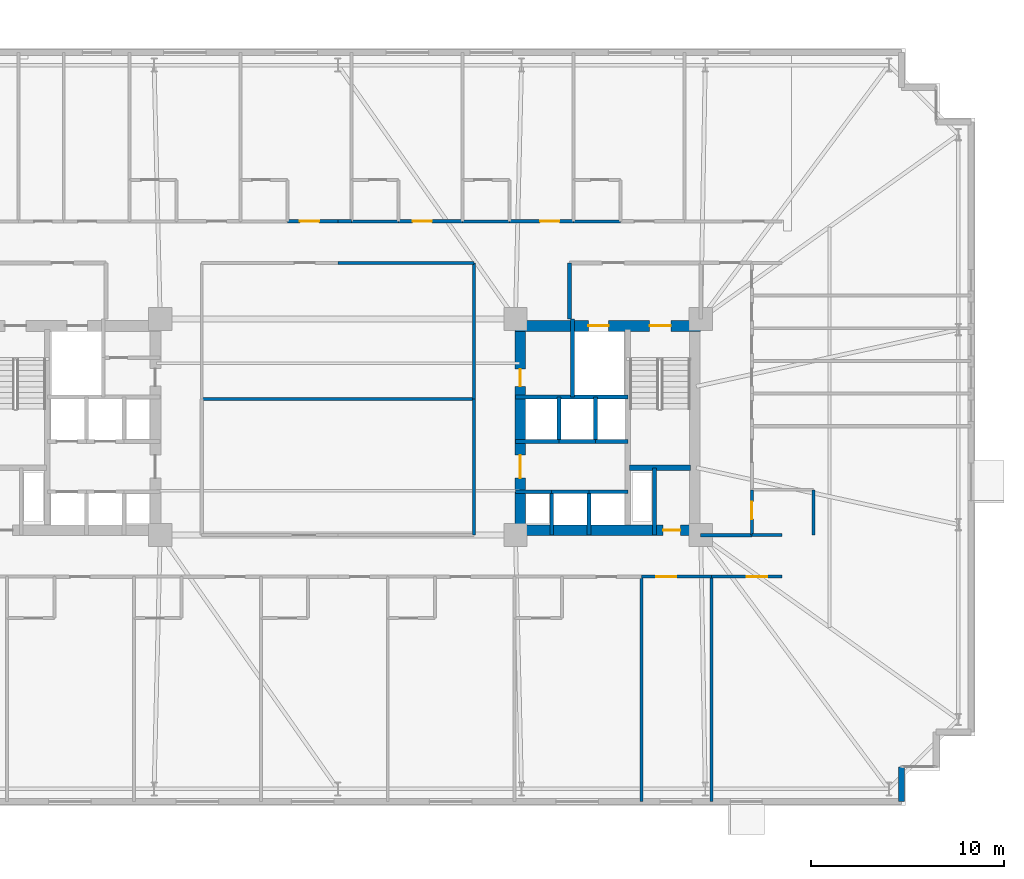
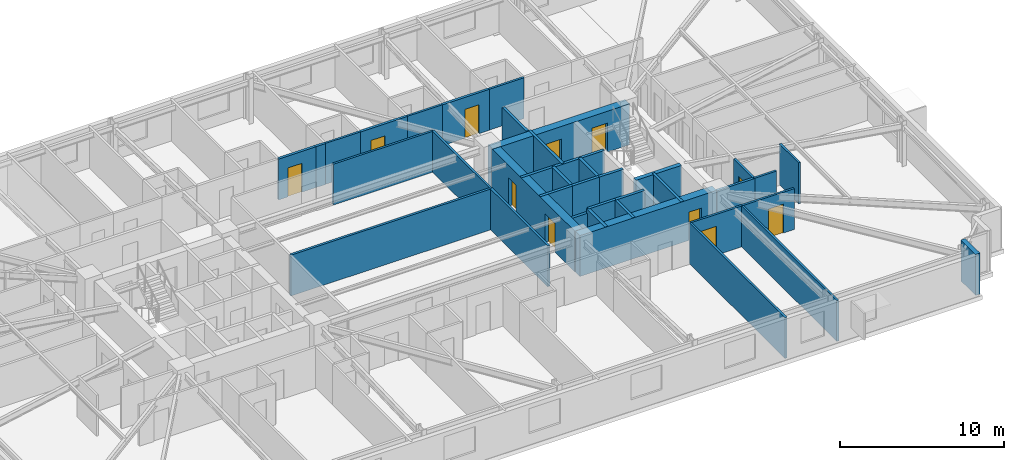
# One storey, part 17 of 22: 38 walls, 11 doors, 11 openings.
"""IFC4 building model written with IfcOpenShell, lengths in metres."""

from ifc_helpers import new_model, si_unit, direction, frame, frame_2d, origin, place, context, subcontext, project, spatial, rectangle, extrude, material, layer, layer_set, type_object, element, fill, save


model = new_model("IFC4")

# Units and contexts
model_context = context("Model", 3, precision=1e-05, world=origin(), true_north=direction((0.0, 1.0)))
body_context = subcontext(model_context, "Body", "Model", "MODEL_VIEW")
ifc_project = project(units=[si_unit("LENGTHUNIT", "METRE"), si_unit("AREAUNIT", "SQUARE_METRE"), si_unit("VOLUMEUNIT", "CUBIC_METRE"), si_unit("PLANEANGLEUNIT", "RADIAN"), si_unit("MASSUNIT", "GRAM", prefix="KILO")], contexts=[model_context])

# Site, building, storey
site_placement = place(None, origin())
site = spatial("IfcSite", under=ifc_project, at=site_placement, CompositionType="ELEMENT")
building_placement = place(site_placement, origin())
building = spatial("IfcBuilding", under=site, at=building_placement, Name="Qobustan Lattice House", CompositionType="ELEMENT")
storey_placement = place(building_placement, frame((0.0, 0.0, 60.5)))
storey = spatial("IfcBuildingStorey", under=building, at=storey_placement, Name="L16", CompositionType="ELEMENT", Elevation=60.5)

# Wall, openings, doors
ifc_material_1 = material(Name="Concrete C60/75", Category="concrete")
ifc_layer_1 = layer(ifc_material_1, 0.56005859375)
ifc_layer_set_1 = layer_set([ifc_layer_1], Name="Concrete C60/75")
wall_type_1 = type_object("IfcWallType", Name="WAL-CORE-600", PredefinedType="SHEAR", material=ifc_layer_set_1)
wall_1_placement = place(storey_placement, frame((9.199951171875, 5.239990234375, 0.0), z_axis=(0.0, 0.0, 1.0), x_axis=(1.0, 0.0, 0.0)))
wall_1 = element("IfcWall", 1, at=wall_1_placement, inside=storey, type_object=wall_type_1, Name="L16 split-core shear wall CE-N", PredefinedType="SHEAR", context=body_context, shape_type="SweptSolid", body=[
    extrude(rectangle(XDim=9.60009765625, YDim=0.56005859375, at=frame_2d((4.800048828125, 0.0))), origin(), (0.0, 0.0, 1.0), 3.034912109375),
])
opening_1_placement = place(wall_1_placement, frame((6.949951171875, 0.0, 0.0)))
opening_1 = element("IfcOpeningElement", 2, at=opening_1_placement, cuts=wall_1, Name="Opening SD-01", PredefinedType="OPENING", context=body_context, shape_type="SweptSolid", body=[
    extrude(rectangle(XDim=1.10009765625, YDim=2.14990234375, at=frame_2d((0.550048828125, 1.074951171875))), frame((0.0, 0.2900390625, 0.0), z_axis=(0.0, -1.0, 0.0), x_axis=(1.0, 0.0, 0.0)), (0.0, 0.0, 1.0), 0.580078125),
])
opening_2_placement = place(wall_1_placement, frame((3.77490234375, 0.0, 0.0)))
opening_2 = element("IfcOpeningElement", 3, at=opening_2_placement, cuts=wall_1, Name="Opening LD-01", PredefinedType="OPENING", context=body_context, shape_type="SweptSolid", body=[
    extrude(rectangle(XDim=1.050048828125, YDim=2.10009765625, at=frame_2d((0.52490234375, 1.050048828125))), frame((0.0, 0.2900390625, 0.0), z_axis=(0.0, -1.0, 0.0), x_axis=(1.0, 0.0, 0.0)), (0.0, 0.0, 1.0), 0.580078125),
])
ifc_material_2 = material(Name="Persian walnut timber and steel frame door", Category="steel")
door_type_1 = type_object("IfcDoorType", Name="DOR-LIFT-LD-1050x2100", OperationType="NOTDEFINED", PredefinedType="DOOR", material=ifc_material_2)
door_1_placement = place(opening_2_placement, origin())
door_1 = element("IfcDoor", 4, at=door_1_placement, inside=storey, type_object=door_type_1, Name="L16 firefighting lift FF-E landing door", OperationType="DOUBLE_DOOR_SLIDING", OverallHeight=2.10009765625, OverallWidth=1.050048828125, PredefinedType="DOOR", context=body_context, shape_type="SweptSolid", body=[
    extrude(rectangle(XDim=1.050048828125, YDim=2.10009765625, at=frame_2d((0.52490234375, 1.050048828125))), frame((0.0, 0.02490234375, 0.0), z_axis=(0.0, -1.0, 0.0), x_axis=(1.0, 0.0, 0.0)), (0.0, 0.0, 1.0), 0.050048828125),
])
fill(opening_2, door_1)
ifc_material_3 = material(Name="Persian walnut timber and steel frame door", Category="steel")
door_type_2 = type_object("IfcDoorType", Name="DOR-STAIR-FD-1100x2150", OperationType="NOTDEFINED", PredefinedType="DOOR", material=ifc_material_3)
door_2_placement = place(opening_1_placement, origin())
door_2 = element("IfcDoor", 5, at=door_2_placement, inside=storey, type_object=door_type_2, Name="L16 exit stair ST-E1 fire door", OperationType="SINGLE_SWING_LEFT", OverallHeight=2.14990234375, OverallWidth=1.10009765625, PredefinedType="DOOR", context=body_context, shape_type="SweptSolid", body=[
    extrude(rectangle(XDim=1.10009765625, YDim=2.14990234375, at=frame_2d((0.550048828125, 1.074951171875))), frame((0.0, 0.02490234375, 0.0), z_axis=(0.0, -1.0, 0.0), x_axis=(1.0, 0.0, 0.0)), (0.0, 0.0, 1.0), 0.050048828125),
])
fill(opening_1, door_2)

# Wall, opening, door
wall_2_placement = place(storey_placement, frame((9.199951171875, -5.35009765625, 0.0), z_axis=(0.0, 0.0, 1.0), x_axis=(1.0, 0.0, 0.0)))
wall_2 = element("IfcWall", 6, at=wall_2_placement, inside=storey, type_object=wall_type_1, Name="L16 split-core shear wall CE-S", PredefinedType="SHEAR", context=body_context, shape_type="SweptSolid", body=[
    extrude(rectangle(XDim=9.60009765625, YDim=0.56005859375, at=frame_2d((4.800048828125, 0.0))), origin(), (0.0, 0.0, 1.0), 3.034912109375),
])
opening_3_placement = place(wall_2_placement, frame((7.64990234375, 0.0, 0.0)))
opening_3 = element("IfcOpeningElement", 7, at=opening_3_placement, cuts=wall_2, Name="Opening RD-01", PredefinedType="OPENING", context=body_context, shape_type="SweptSolid", body=[
    extrude(rectangle(XDim=0.89990234375, YDim=2.10009765625, at=frame_2d((0.449951171875, 1.050048828125))), frame((0.0, 0.2900390625, 0.0), z_axis=(0.0, -1.0, 0.0), x_axis=(1.0, 0.0, 0.0)), (0.0, 0.0, 1.0), 0.580078125),
])
ifc_material_4 = material(Name="Persian walnut timber and steel frame door", Category="steel")
door_type_3 = type_object("IfcDoorType", Name="DOR-RISER-FD-900x2100", OperationType="NOTDEFINED", PredefinedType="DOOR", material=ifc_material_4)
door_3_placement = place(opening_3_placement, origin())
door_3 = element("IfcDoor", 8, at=door_3_placement, inside=storey, type_object=door_type_3, Name="L16 core service riser access door E", OperationType="SINGLE_SWING_LEFT", OverallHeight=2.10009765625, OverallWidth=0.89990234375, PredefinedType="DOOR", context=body_context, shape_type="SweptSolid", body=[
    extrude(rectangle(XDim=0.89990234375, YDim=2.10009765625, at=frame_2d((0.449951171875, 1.050048828125))), frame((0.0, 0.02490234375, 0.0), z_axis=(0.0, -1.0, 0.0), x_axis=(1.0, 0.0, 0.0)), (0.0, 0.0, 1.0), 0.050048828125),
])
fill(opening_3, door_3)

# Wall, openings, doors
wall_3_placement = place(storey_placement, frame((9.449951171875, -5.050048828125, 0.0), z_axis=(0.0, 0.0, 1.0), x_axis=(0.0, 1.0, 0.0)))
wall_3 = element("IfcWall", 9, at=wall_3_placement, inside=storey, type_object=wall_type_1, Name="L16 split-core shear wall CE-W", PredefinedType="SHEAR", context=body_context, shape_type="SweptSolid", body=[
    extrude(rectangle(XDim=10.10009765625, YDim=0.56005859375, at=frame_2d((5.050048828125, 0.0))), origin(), (0.0, 0.0, 1.0), 3.034912109375),
])
opening_4_placement = place(wall_3_placement, frame((7.14990234375, 0.0, 0.0)))
opening_4 = element("IfcOpeningElement", 10, at=opening_4_placement, cuts=wall_3, Name="Opening RD-01", PredefinedType="OPENING", context=body_context, shape_type="SweptSolid", body=[
    extrude(rectangle(XDim=0.89990234375, YDim=2.10009765625, at=frame_2d((0.449951171875, 1.050048828125))), frame((0.0, 0.2900390625, 0.0), z_axis=(0.0, -1.0, 0.0), x_axis=(1.0, 0.0, 0.0)), (0.0, 0.0, 1.0), 0.580078125),
])
opening_5_placement = place(wall_3_placement, frame((2.39990234375, 0.0, 0.0)))
opening_5 = element("IfcOpeningElement", 11, at=opening_5_placement, cuts=wall_3, Name="Opening FD-01", PredefinedType="OPENING", context=body_context, shape_type="SweptSolid", body=[
    extrude(rectangle(XDim=1.199951171875, YDim=2.14990234375, at=frame_2d((0.60009765625, 1.074951171875))), frame((0.0, 0.2900390625, 0.0), z_axis=(0.0, -1.0, 0.0), x_axis=(1.0, 0.0, 0.0)), (0.0, 0.0, 1.0), 0.580078125),
])
ifc_material_5 = material(Name="Persian walnut timber and steel frame door", Category="steel")
door_type_4 = type_object("IfcDoorType", Name="DOR-LOBBY-FD-1200x2150", OperationType="NOTDEFINED", PredefinedType="DOOR", material=ifc_material_5)
door_4_placement = place(opening_5_placement, origin())
door_4 = element("IfcDoor", 12, at=door_4_placement, inside=storey, type_object=door_type_4, Name="L16 East passenger lift lobby fire door", OperationType="SINGLE_SWING_RIGHT", OverallHeight=2.14990234375, OverallWidth=1.199951171875, PredefinedType="DOOR", context=body_context, shape_type="SweptSolid", body=[
    extrude(rectangle(XDim=1.199951171875, YDim=2.14990234375, at=frame_2d((0.60009765625, 1.074951171875))), frame((0.0, 0.02490234375, 0.0), z_axis=(0.0, -1.0, 0.0), x_axis=(1.0, 0.0, 0.0)), (0.0, 0.0, 1.0), 0.050048828125),
])
fill(opening_5, door_4)
door_5_placement = place(opening_4_placement, origin())
door_5 = element("IfcDoor", 13, at=door_5_placement, inside=storey, type_object=door_type_3, Name="L16 Housekeeping linen store fire door", OperationType="SINGLE_SWING_LEFT", OverallHeight=2.10009765625, OverallWidth=0.89990234375, PredefinedType="DOOR", context=body_context, shape_type="SweptSolid", body=[
    extrude(rectangle(XDim=0.89990234375, YDim=2.10009765625, at=frame_2d((0.449951171875, 1.050048828125))), frame((0.0, 0.02490234375, 0.0), z_axis=(0.0, -1.0, 0.0), x_axis=(1.0, 0.0, 0.0)), (0.0, 0.0, 1.0), 0.050048828125),
])
fill(opening_4, door_5)

# Walls
ifc_material_6 = material(Name="Concrete C50/60", Category="concrete")
ifc_layer_2 = layer(ifc_material_6, 0.280029296875)
ifc_layer_set_2 = layer_set([ifc_layer_2], Name="Concrete C50/60")
wall_type_2 = type_object("IfcWallType", Name="WAL-CORE-SPINE-280", PredefinedType="SHEAR", material=ifc_layer_set_2)
wall_4_placement = place(storey_placement, frame((15.10009765625, -2.110107421875, 0.0), z_axis=(0.0, 0.0, 1.0), x_axis=(1.0, 0.0, 0.0)))
element("IfcWall", 14, at=wall_4_placement, inside=storey, type_object=wall_type_2, Name="L16 split-core shear wall CE-ST", PredefinedType="SHEAR", context=body_context, shape_type="SweptSolid", body=[
    extrude(rectangle(XDim=3.179931640625, YDim=0.300048828125, at=frame_2d((1.58984375, 0.0))), origin(), (0.0, 0.0, 1.0), 3.034912109375),
])
ifc_material_7 = material(Name="Precast concrete C40/50", Category="concrete")
ifc_layer_3 = layer(ifc_material_7, 0.320068359375)
ifc_layer_set_3 = layer_set([ifc_layer_3], Name="Precast concrete C40/50")
wall_type_3 = type_object("IfcWallType", Name="WAL-EXT-STONE-320", PredefinedType="SOLIDWALL", material=ifc_layer_set_3)
wall_5_placement = place(storey_placement, frame((29.199951171875, -17.60009765625, 0.0), z_axis=(0.0, 0.0, 1.0), x_axis=(0.0, -1.0, 0.0)))
element("IfcWall", 15, at=wall_5_placement, inside=storey, type_object=wall_type_3, Name="L16 exterior limestone-clad wall 19", PredefinedType="SOLIDWALL", context=body_context, shape_type="SweptSolid", body=[
    extrude(rectangle(XDim=1.7998046875, YDim=0.320068359375, at=frame_2d((0.89990234375, 0.0))), origin(), (0.0, 0.0, 1.0), 3.034912109375),
])

# Wall, opening, door
ifc_material_8 = material(Name="Gypsum fireboard acoustic partition", Category="gypsum")
ifc_layer_4 = layer(ifc_material_8, 0.179931640625)
ifc_layer_set_4 = layer_set([ifc_layer_4], Name="Gypsum fireboard acoustic partition")
wall_type_4 = type_object("IfcWallType", Name="WAL-FIRE-180", PredefinedType="PARTITIONING", material=ifc_layer_set_4)
wall_6_placement = place(storey_placement, frame((-2.60009765625, 10.64990234375, 0.0), z_axis=(0.0, 0.0, 1.0), x_axis=(1.0, 0.0, 0.0)))
wall_6 = element("IfcWall", 16, at=wall_6_placement, inside=storey, type_object=wall_type_4, Name="L16 interior partition 44", PredefinedType="PARTITIONING", context=body_context, shape_type="SweptSolid", body=[
    extrude(rectangle(XDim=2.60009765625, YDim=0.179931640625, at=frame_2d((1.300048828125, 0.0))), origin(), (0.0, 0.0, 1.0), 3.034912109375),
])
opening_6_placement = place(wall_6_placement, frame((0.635009765625, 0.0, 0.0)))
opening_6 = element("IfcOpeningElement", 17, at=opening_6_placement, cuts=wall_6, Name="Opening FD-02", PredefinedType="OPENING", context=body_context, shape_type="SweptSolid", body=[
    extrude(rectangle(XDim=1.0, YDim=2.14990234375, at=frame_2d((0.5, 1.074951171875))), frame((0.0, 0.099853515625, 0.0), z_axis=(0.0, -1.0, 0.0), x_axis=(1.0, 0.0, 0.0)), (0.0, 0.0, 1.0), 0.199951171875),
])
ifc_material_9 = material(Name="Persian walnut timber and steel frame door", Category="steel")
door_type_5 = type_object("IfcDoorType", Name="DOR-UNIT-FD-1000x2150", OperationType="NOTDEFINED", PredefinedType="DOOR", material=ifc_material_9)
door_6_placement = place(opening_6_placement, origin())
door_6 = element("IfcDoor", 18, at=door_6_placement, inside=storey, type_object=door_type_5, Name="L16 North-west floor corridor to Kitchenette and studio apartment L16-N4 door", OperationType="SINGLE_SWING_RIGHT", OverallHeight=2.14990234375, OverallWidth=1.0, PredefinedType="DOOR", context=body_context, shape_type="SweptSolid", body=[
    extrude(rectangle(XDim=1.0, YDim=2.14990234375, at=frame_2d((0.5, 1.074951171875))), frame((0.0, 0.02490234375, 0.0), z_axis=(0.0, -1.0, 0.0), x_axis=(1.0, 0.0, 0.0)), (0.0, 0.0, 1.0), 0.050048828125),
])
fill(opening_6, door_6)

# Wall
wall_7_placement = place(storey_placement, frame((0.0, 10.64990234375, 0.0), z_axis=(0.0, 0.0, 1.0), x_axis=(1.0, 0.0, 0.0)))
element("IfcWall", 19, at=wall_7_placement, inside=storey, type_object=wall_type_4, Name="L16 interior partition 49", PredefinedType="PARTITIONING", context=body_context, shape_type="SweptSolid", body=[
    extrude(rectangle(XDim=0.699951171875, YDim=0.179931640625, at=frame_2d((0.35009765625, 0.0))), origin(), (0.0, 0.0, 1.0), 3.034912109375),
])

# Wall, opening, door
wall_8_placement = place(storey_placement, frame((3.14990234375, 10.64990234375, 0.0), z_axis=(0.0, 0.0, 1.0), x_axis=(1.0, 0.0, 0.0)))
wall_8 = element("IfcWall", 20, at=wall_8_placement, inside=storey, type_object=wall_type_4, Name="L16 interior partition 50", PredefinedType="PARTITIONING", context=body_context, shape_type="SweptSolid", body=[
    extrude(rectangle(XDim=3.300048828125, YDim=0.179931640625, at=frame_2d((1.64990234375, 0.0))), origin(), (0.0, 0.0, 1.0), 3.034912109375),
])
opening_7_placement = place(wall_8_placement, frame((0.722412109375, 0.0, 0.0)))
opening_7 = element("IfcOpeningElement", 21, at=opening_7_placement, cuts=wall_8, Name="Opening FD-02", PredefinedType="OPENING", context=body_context, shape_type="SweptSolid", body=[
    extrude(rectangle(XDim=1.0, YDim=2.14990234375, at=frame_2d((0.5, 1.074951171875))), frame((0.0, 0.099853515625, 0.0), z_axis=(0.0, -1.0, 0.0), x_axis=(1.0, 0.0, 0.0)), (0.0, 0.0, 1.0), 0.199951171875),
])
door_7_placement = place(opening_7_placement, origin())
door_7 = element("IfcDoor", 22, at=door_7_placement, inside=storey, type_object=door_type_5, Name="L16 North-east floor corridor to Kitchenette and studio apartment L16-N5 door", OperationType="SINGLE_SWING_LEFT", OverallHeight=2.14990234375, OverallWidth=1.0, PredefinedType="DOOR", context=body_context, shape_type="SweptSolid", body=[
    extrude(rectangle(XDim=1.0, YDim=2.14990234375, at=frame_2d((0.5, 1.074951171875))), frame((0.0, 0.02490234375, 0.0), z_axis=(0.0, -1.0, 0.0), x_axis=(1.0, 0.0, 0.0)), (0.0, 0.0, 1.0), 0.050048828125),
])
fill(opening_7, door_7)

wall_9_placement = place(storey_placement, frame((8.89990234375, 10.64990234375, 0.0), z_axis=(0.0, 0.0, 1.0), x_axis=(1.0, 0.0, 0.0)))
wall_9 = element("IfcWall", 23, at=wall_9_placement, inside=storey, type_object=wall_type_4, Name="L16 interior partition 52", PredefinedType="PARTITIONING", context=body_context, shape_type="SweptSolid", body=[
    extrude(rectangle(XDim=3.300048828125, YDim=0.179931640625, at=frame_2d((1.64990234375, 0.0))), origin(), (0.0, 0.0, 1.0), 3.034912109375),
])
opening_8_placement = place(wall_9_placement, frame((1.577392578125, 0.0, 0.0)))
opening_8 = element("IfcOpeningElement", 24, at=opening_8_placement, cuts=wall_9, Name="Opening FD-02", PredefinedType="OPENING", context=body_context, shape_type="SweptSolid", body=[
    extrude(rectangle(XDim=1.0, YDim=2.14990234375, at=frame_2d((0.5, 1.074951171875))), frame((0.0, 0.099853515625, 0.0), z_axis=(0.0, -1.0, 0.0), x_axis=(1.0, 0.0, 0.0)), (0.0, 0.0, 1.0), 0.199951171875),
])
door_8_placement = place(opening_8_placement, origin())
door_8 = element("IfcDoor", 25, at=door_8_placement, inside=storey, type_object=door_type_5, Name="L16 North-east floor corridor to Kitchenette and studio apartment L16-N6 door", OperationType="SINGLE_SWING_RIGHT", OverallHeight=2.14990234375, OverallWidth=1.0, PredefinedType="DOOR", context=body_context, shape_type="SweptSolid", body=[
    extrude(rectangle(XDim=1.0, YDim=2.14990234375, at=frame_2d((0.5, 1.074951171875))), frame((0.0, 0.02490234375, 0.0), z_axis=(0.0, -1.0, 0.0), x_axis=(1.0, 0.0, 0.0)), (0.0, 0.0, 1.0), 0.050048828125),
])
fill(opening_8, door_8)

# Walls
wall_10_placement = place(storey_placement, frame((18.800048828125, -5.60009765625, 0.0), z_axis=(0.0, 0.0, 1.0), x_axis=(1.0, 0.0, 0.0)))
element("IfcWall", 26, at=wall_10_placement, inside=storey, type_object=wall_type_4, Name="L16 interior partition 68", PredefinedType="PARTITIONING", context=body_context, shape_type="SweptSolid", body=[
    extrude(rectangle(XDim=2.64990234375, YDim=0.179931640625, at=frame_2d((1.324951171875, 0.0))), origin(), (0.0, 0.0, 1.0), 3.034912109375),
])
ifc_material_10 = material(Name="Acoustic twin-stud gypsum partition", Category="gypsum")
ifc_layer_5 = layer(ifc_material_10, 0.14990234375)
ifc_layer_set_5 = layer_set([ifc_layer_5], Name="Acoustic twin-stud gypsum partition")
wall_type_5 = type_object("IfcWallType", Name="WAL-PART-150", PredefinedType="PARTITIONING", material=ifc_layer_set_5)
wall_11_placement = place(storey_placement, frame((7.050048828125, 8.5, 0.0), z_axis=(0.0, 0.0, 1.0), x_axis=(-1.0, 0.0, 0.0)))
element("IfcWall", 27, at=wall_11_placement, inside=storey, type_object=wall_type_5, Name="L16 interior partition 57", PredefinedType="PARTITIONING", context=body_context, shape_type="SweptSolid", body=[
    extrude(rectangle(XDim=7.050048828125, YDim=0.14990234375, at=frame_2d((3.52490234375, 0.0))), origin(), (0.0, 0.0, 1.0), 3.034912109375),
])

# Wall, opening, door
wall_12_placement = place(storey_placement, frame((19.364501953125, -7.75, 0.0), z_axis=(0.0, 0.0, 1.0), x_axis=(-1.0, 0.0, 0.0)))
wall_12 = element("IfcWall", 28, at=wall_12_placement, inside=storey, type_object=wall_type_5, Name="L16 interior partition 75", PredefinedType="PARTITIONING", context=body_context, shape_type="SweptSolid", body=[
    extrude(rectangle(XDim=3.635498046875, YDim=0.14990234375, at=frame_2d((1.81787109375, 0.0))), origin(), (0.0, 0.0, 1.0), 3.034912109375),
])
opening_9_placement = place(wall_12_placement, frame((1.827392578125, 0.0, 0.0)))
opening_9 = element("IfcOpeningElement", 29, at=opening_9_placement, cuts=wall_12, Name="Opening ID-02", PredefinedType="OPENING", context=body_context, shape_type="SweptSolid", body=[
    extrude(rectangle(XDim=1.050048828125, YDim=2.14990234375, at=frame_2d((0.52490234375, 1.074951171875))), frame((0.0, 0.0849609375, 0.0), z_axis=(0.0, -1.0, 0.0), x_axis=(1.0, 0.0, 0.0)), (0.0, 0.0, 1.0), 0.169921875),
])
ifc_material_11 = material(Name="Persian walnut timber and steel frame door", Category="steel")
door_type_6 = type_object("IfcDoorType", Name="DOR-STUDY-1050x2150", OperationType="NOTDEFINED", PredefinedType="DOOR", material=ifc_material_11)
door_9_placement = place(opening_9_placement, origin())
door_9 = element("IfcDoor", 30, at=door_9_placement, inside=storey, type_object=door_type_6, Name="L16 South-east floor corridor to Group study room door", OperationType="SINGLE_SWING_RIGHT", OverallHeight=2.14990234375, OverallWidth=1.050048828125, PredefinedType="DOOR", context=body_context, shape_type="SweptSolid", body=[
    extrude(rectangle(XDim=1.050048828125, YDim=2.14990234375, at=frame_2d((0.52490234375, 1.074951171875))), frame((0.0, 0.02490234375, 0.0), z_axis=(0.0, -1.0, 0.0), x_axis=(1.0, 0.0, 0.0)), (0.0, 0.0, 1.0), 0.050048828125),
])
fill(opening_9, door_9)

wall_13_placement = place(storey_placement, frame((23.0, -7.75, 0.0), z_axis=(0.0, 0.0, 1.0), x_axis=(-1.0, 0.0, 0.0)))
wall_13 = element("IfcWall", 31, at=wall_13_placement, inside=storey, type_object=wall_type_5, Name="L16 interior partition 76", PredefinedType="PARTITIONING", context=body_context, shape_type="SweptSolid", body=[
    extrude(rectangle(XDim=3.635498046875, YDim=0.14990234375, at=frame_2d((1.81787109375, 0.0))), origin(), (0.0, 0.0, 1.0), 3.034912109375),
])
opening_10_placement = place(wall_13_placement, frame((0.75830078125, 0.0, 0.0)))
opening_10 = element("IfcOpeningElement", 32, at=opening_10_placement, cuts=wall_13, Name="Opening ID-02", PredefinedType="OPENING", context=body_context, shape_type="SweptSolid", body=[
    extrude(rectangle(XDim=1.050048828125, YDim=2.14990234375, at=frame_2d((0.52490234375, 1.074951171875))), frame((0.0, 0.0849609375, 0.0), z_axis=(0.0, -1.0, 0.0), x_axis=(1.0, 0.0, 0.0)), (0.0, 0.0, 1.0), 0.169921875),
])
door_10_placement = place(opening_10_placement, origin())
door_10 = element("IfcDoor", 33, at=door_10_placement, inside=storey, type_object=door_type_6, Name="L16 South-east floor corridor to Academic seminar room door", OperationType="SINGLE_SWING_LEFT", OverallHeight=2.14990234375, OverallWidth=1.050048828125, PredefinedType="DOOR", context=body_context, shape_type="SweptSolid", body=[
    extrude(rectangle(XDim=1.050048828125, YDim=2.14990234375, at=frame_2d((0.52490234375, 1.074951171875))), frame((0.0, 0.02490234375, 0.0), z_axis=(0.0, -1.0, 0.0), x_axis=(1.0, 0.0, 0.0)), (0.0, 0.0, 1.0), 0.050048828125),
])
fill(opening_10, door_10)

# Walls
wall_14_placement = place(storey_placement, frame((7.050048828125, 1.449951171875, 0.0), z_axis=(0.0, 0.0, 1.0), x_axis=(0.0, 1.0, 0.0)))
element("IfcWall", 34, at=wall_14_placement, inside=storey, type_object=wall_type_5, Name="L16 interior partition 81", PredefinedType="PARTITIONING", context=body_context, shape_type="SweptSolid", body=[
    extrude(rectangle(XDim=7.050048828125, YDim=0.14990234375, at=frame_2d((3.52490234375, 0.0))), origin(), (0.0, 0.0, 1.0), 3.034912109375),
])
for number, where, z_axis, x_axis, name in (
    (35, (15.72900390625, -7.75, 0.0), (0.0, 0.0, 1.0), (0.0, -1.0, 0.0), "L16 interior partition 153"),
    (36, (19.364501953125, -7.75, 0.0), (0.0, 0.0, 1.0), (0.0, -1.0, 0.0), "L16 interior partition 154"),
):
    element("IfcWall", number, at=place(storey_placement, frame(where, z_axis=z_axis, x_axis=x_axis)), inside=storey, type_object=wall_type_5, Name=name, PredefinedType="PARTITIONING", context=body_context, shape_type="SweptSolid", body=[
        extrude(rectangle(XDim=11.64990234375, YDim=0.14990234375, at=frame_2d((5.824951171875, 0.0))), origin(), (0.0, 0.0, 1.0), 3.034912109375),
    ])
ifc_material_12 = material(Name="High-mass acoustic twin-stud partition", Category="gypsum")
ifc_layer_6 = layer(ifc_material_12, 0.1650390625)
ifc_layer_set_6 = layer_set([ifc_layer_6], Name="High-mass acoustic twin-stud partition")
wall_type_6 = type_object("IfcWallType", Name="WAL-PART-165", PredefinedType="PARTITIONING", material=ifc_layer_set_6)
wall_15_placement = place(storey_placement, frame((7.050048828125, -5.60009765625, 0.0), z_axis=(0.0, 0.0, 1.0), x_axis=(0.0, 1.0, 0.0)))
element("IfcWall", 37, at=wall_15_placement, inside=storey, type_object=wall_type_6, Name="L16 interior partition 80", PredefinedType="PARTITIONING", context=body_context, shape_type="SweptSolid", body=[
    extrude(rectangle(XDim=7.050048828125, YDim=0.1650390625, at=frame_2d((3.52490234375, 0.0))), origin(), (0.0, 0.0, 1.0), 3.034912109375),
])
wall_16_placement = place(storey_placement, frame((-7.050048828125, 1.449951171875, 0.0), z_axis=(0.0, 0.0, 1.0), x_axis=(1.0, 0.0, 0.0)))
element("IfcWall", 38, at=wall_16_placement, inside=storey, type_object=wall_type_6, Name="L16 interior partition 155", PredefinedType="PARTITIONING", context=body_context, shape_type="SweptSolid", body=[
    extrude(rectangle(XDim=14.10009765625, YDim=0.1650390625, at=frame_2d((7.050048828125, 0.0))), origin(), (0.0, 0.0, 1.0), 3.034912109375),
])
ifc_material_13 = material(Name="Two-hour gypsum fireboard acoustic partition", Category="gypsum")
ifc_layer_7 = layer(ifc_material_13, 0.199951171875)
ifc_layer_set_7 = layer_set([ifc_layer_7], Name="Two-hour gypsum fireboard acoustic partition")
wall_type_7 = type_object("IfcWallType", Name="WAL-PROT-200", PredefinedType="PARTITIONING", material=ifc_layer_set_7)
wall_17_placement = place(storey_placement, frame((12.0, 8.5, 0.0), z_axis=(0.0, 0.0, 1.0), x_axis=(0.0, -1.0, 0.0)))
element("IfcWall", 39, at=wall_17_placement, inside=storey, type_object=wall_type_7, Name="L16 interior partition 23", PredefinedType="PARTITIONING", context=body_context, shape_type="SweptSolid", body=[
    extrude(rectangle(XDim=2.89990234375, YDim=0.199951171875, at=frame_2d((1.449951171875, 0.0))), origin(), (0.0, 0.0, 1.0), 3.034912109375),
])
ifc_material_14 = material(Name="Concrete C40/50", Category="concrete")
ifc_layer_8 = layer(ifc_material_14, 0.199951171875)
ifc_layer_set_8 = layer_set([ifc_layer_8], Name="Concrete C40/50")
wall_type_8 = type_object("IfcWallType", Name="WAL-SHAFT-200", PredefinedType="PARTITIONING", material=ifc_layer_set_8)
wall_18_placement = place(storey_placement, frame((16.39990234375, -2.110107421875, 0.0), z_axis=(0.0, 0.0, 1.0), x_axis=(0.0, -1.0, 0.0)))
element("IfcWall", 40, at=wall_18_placement, inside=storey, type_object=wall_type_8, Name="L16 interior partition 20", PredefinedType="PARTITIONING", context=body_context, shape_type="SweptSolid", body=[
    extrude(rectangle(XDim=3.489990234375, YDim=0.199951171875, at=frame_2d((1.7451171875, 0.0))), origin(), (0.0, 0.0, 1.0), 3.034912109375),
])
wall_19_placement = place(storey_placement, frame((12.14990234375, 5.60009765625, 0.0), z_axis=(0.0, 0.0, 1.0), x_axis=(0.0, -1.0, 0.0)))
element("IfcWall", 41, at=wall_19_placement, inside=storey, type_object=wall_type_8, Name="L16 interior partition 21", PredefinedType="PARTITIONING", context=body_context, shape_type="SweptSolid", body=[
    extrude(rectangle(XDim=4.050048828125, YDim=0.199951171875, at=frame_2d((2.02490234375, 0.0))), origin(), (0.0, 0.0, 1.0), 3.034912109375),
])
wall_20_placement = place(storey_placement, frame((9.199951171875, -3.35009765625, 0.0), z_axis=(0.0, 0.0, 1.0), x_axis=(1.0, 0.0, 0.0)))
element("IfcWall", 42, at=wall_20_placement, inside=storey, type_object=wall_type_8, Name="L16 interior partition 26", PredefinedType="PARTITIONING", context=body_context, shape_type="SweptSolid", body=[
    extrude(rectangle(XDim=1.880126953125, YDim=0.199951171875, at=frame_2d((0.93994140625, 0.0))), origin(), (0.0, 0.0, 1.0), 2.75),
])
wall_21_placement = place(storey_placement, frame((11.080078125, -3.35009765625, 0.0), z_axis=(0.0, 0.0, 1.0), x_axis=(1.0, 0.0, 0.0)))
element("IfcWall", 43, at=wall_21_placement, inside=storey, type_object=wall_type_8, Name="L16 interior partition 27", PredefinedType="PARTITIONING", context=body_context, shape_type="SweptSolid", body=[
    extrude(rectangle(XDim=1.93994140625, YDim=0.199951171875, at=frame_2d((0.969970703125, 0.0))), origin(), (0.0, 0.0, 1.0), 3.034912109375),
])
wall_22_placement = place(storey_placement, frame((13.02001953125, -3.35009765625, 0.0), z_axis=(0.0, 0.0, 1.0), x_axis=(1.0, 0.0, 0.0)))
element("IfcWall", 44, at=wall_22_placement, inside=storey, type_object=wall_type_8, Name="L16 interior partition 28", PredefinedType="PARTITIONING", context=body_context, shape_type="SweptSolid", body=[
    extrude(rectangle(XDim=2.0, YDim=0.199951171875, at=frame_2d((1.0, 0.0))), origin(), (0.0, 0.0, 1.0), 3.034912109375),
])
wall_23_placement = place(storey_placement, frame((11.4599609375, -0.75, 0.0), z_axis=(0.0, 0.0, 1.0), x_axis=(-1.0, 0.0, 0.0)))
element("IfcWall", 45, at=wall_23_placement, inside=storey, type_object=wall_type_8, Name="L16 interior partition 29", PredefinedType="PARTITIONING", context=body_context, shape_type="SweptSolid", body=[
    extrude(rectangle(XDim=2.260009765625, YDim=0.199951171875, at=frame_2d((1.1298828125, 0.0))), origin(), (0.0, 0.0, 1.0), 3.034912109375),
])
wall_24_placement = place(storey_placement, frame((13.340087890625, -0.75, 0.0), z_axis=(0.0, 0.0, 1.0), x_axis=(-1.0, 0.0, 0.0)))
element("IfcWall", 46, at=wall_24_placement, inside=storey, type_object=wall_type_8, Name="L16 interior partition 30", PredefinedType="PARTITIONING", context=body_context, shape_type="SweptSolid", body=[
    extrude(rectangle(XDim=1.880126953125, YDim=0.199951171875, at=frame_2d((0.93994140625, 0.0))), origin(), (0.0, 0.0, 1.0), 3.034912109375),
])
wall_25_placement = place(storey_placement, frame((15.02001953125, -0.75, 0.0), z_axis=(0.0, 0.0, 1.0), x_axis=(-1.0, 0.0, 0.0)))
element("IfcWall", 47, at=wall_25_placement, inside=storey, type_object=wall_type_8, Name="L16 interior partition 31", PredefinedType="PARTITIONING", context=body_context, shape_type="SweptSolid", body=[
    extrude(rectangle(XDim=1.679931640625, YDim=0.199951171875, at=frame_2d((0.83984375, 0.0))), origin(), (0.0, 0.0, 1.0), 3.034912109375),
])
for number, where, z_axis, x_axis, name in (
    (48, (11.080078125, -5.60009765625, 0.0), (0.0, 0.0, 1.0), (0.0, 1.0, 0.0), "L16 interior partition 33"),
    (49, (13.02001953125, -5.60009765625, 0.0), (0.0, 0.0, 1.0), (0.0, 1.0, 0.0), "L16 interior partition 34"),
):
    element("IfcWall", number, at=place(storey_placement, frame(where, z_axis=z_axis, x_axis=x_axis)), inside=storey, type_object=wall_type_8, Name=name, PredefinedType="PARTITIONING", context=body_context, shape_type="SweptSolid", body=[
        extrude(rectangle(XDim=2.25, YDim=0.199951171875, at=frame_2d((1.125, 0.0))), origin(), (0.0, 0.0, 1.0), 3.034912109375),
    ])
for number, where, z_axis, x_axis, name in (
    (50, (11.4599609375, -0.75, 0.0), (0.0, 0.0, 1.0), (0.0, 1.0, 0.0), "L16 interior partition 35"),
    (51, (13.340087890625, -0.75, 0.0), (0.0, 0.0, 1.0), (0.0, 1.0, 0.0), "L16 interior partition 36"),
):
    element("IfcWall", number, at=place(storey_placement, frame(where, z_axis=z_axis, x_axis=x_axis)), inside=storey, type_object=wall_type_8, Name=name, PredefinedType="PARTITIONING", context=body_context, shape_type="SweptSolid", body=[
        extrude(rectangle(XDim=2.300048828125, YDim=0.199951171875, at=frame_2d((1.14990234375, 0.0))), origin(), (0.0, 0.0, 1.0), 3.034912109375),
    ])
wall_26_placement = place(storey_placement, frame((9.199951171875, 1.550048828125, 0.0), z_axis=(0.0, 0.0, 1.0), x_axis=(1.0, 0.0, 0.0)))
element("IfcWall", 52, at=wall_26_placement, inside=storey, type_object=wall_type_8, Name="L16 interior partition 157", PredefinedType="PARTITIONING", context=body_context, shape_type="SweptSolid", body=[
    extrude(rectangle(XDim=5.820068359375, YDim=0.199951171875, at=frame_2d((2.91015625, 0.0))), origin(), (0.0, 0.0, 1.0), 3.034912109375),
])
ifc_material_15 = material(Name="Moisture-resistant acoustic plumbing wall", Category="gypsum")
ifc_layer_9 = layer(ifc_material_15, 0.14990234375)
ifc_layer_set_9 = layer_set([ifc_layer_9], Name="Moisture-resistant acoustic plumbing wall")
wall_type_9 = type_object("IfcWallType", Name="WAL-WET-150", PredefinedType="PLUMBINGWALL", material=ifc_layer_set_9)
for number, where, z_axis, x_axis, name in (
    (53, (0.699951171875, 10.64990234375, 0.0), (0.0, 0.0, 1.0), (1.0, 0.0, 0.0), "L16 interior partition 51"),
    (54, (6.449951171875, 10.64990234375, 0.0), (0.0, 0.0, 1.0), (1.0, 0.0, 0.0), "L16 interior partition 53"),
    (55, (12.199951171875, 10.64990234375, 0.0), (0.0, 0.0, 1.0), (1.0, 0.0, 0.0), "L16 interior partition 55"),
):
    element("IfcWall", number, at=place(storey_placement, frame(where, z_axis=z_axis, x_axis=x_axis)), inside=storey, type_object=wall_type_9, Name=name, PredefinedType="PLUMBINGWALL", context=body_context, shape_type="SweptSolid", body=[
        extrude(rectangle(XDim=2.449951171875, YDim=0.14990234375, at=frame_2d((1.22509765625, 0.0))), origin(), (0.0, 0.0, 1.0), 3.034912109375),
    ])
wall_27_placement = place(storey_placement, frame((21.449951171875, -5.60009765625, 0.0), z_axis=(0.0, 0.0, 1.0), x_axis=(1.0, 0.0, 0.0)))
element("IfcWall", 56, at=wall_27_placement, inside=storey, type_object=wall_type_9, Name="L16 interior partition 69", PredefinedType="PLUMBINGWALL", context=body_context, shape_type="SweptSolid", body=[
    extrude(rectangle(XDim=1.550048828125, YDim=0.14990234375, at=frame_2d((0.77490234375, 0.0))), origin(), (0.0, 0.0, 1.0), 3.034912109375),
])

# Wall, opening, door
wall_28_placement = place(storey_placement, frame((21.449951171875, -3.25, 0.0), z_axis=(0.0, 0.0, 1.0), x_axis=(0.0, -1.0, 0.0)))
wall_28 = element("IfcWall", 57, at=wall_28_placement, inside=storey, type_object=wall_type_9, Name="L16 interior partition 96", PredefinedType="PLUMBINGWALL", context=body_context, shape_type="SweptSolid", body=[
    extrude(rectangle(XDim=2.35009765625, YDim=0.14990234375, at=frame_2d((1.175048828125, 0.0))), origin(), (0.0, 0.0, 1.0), 3.034912109375),
])
opening_11_placement = place(wall_28_placement, frame((0.6162109375, 0.0, 0.0)))
opening_11 = element("IfcOpeningElement", 58, at=opening_11_placement, cuts=wall_28, Name="Opening WD-01", PredefinedType="OPENING", context=body_context, shape_type="SweptSolid", body=[
    extrude(rectangle(XDim=0.89990234375, YDim=2.10009765625, at=frame_2d((0.449951171875, 1.050048828125))), frame((0.0, 0.0849609375, 0.0), z_axis=(0.0, -1.0, 0.0), x_axis=(1.0, 0.0, 0.0)), (0.0, 0.0, 1.0), 0.169921875),
])
ifc_material_16 = material(Name="Persian walnut timber and steel frame door", Category="steel")
door_type_7 = type_object("IfcDoorType", Name="DOR-WET-900x2100", OperationType="NOTDEFINED", PredefinedType="DOOR", material=ifc_material_16)
door_11_placement = place(opening_11_placement, origin())
door_11 = element("IfcDoor", 59, at=door_11_placement, inside=storey, type_object=door_type_7, Name="L16 Residence entrance hall L16E to Shared bathroom L16E door", OperationType="SINGLE_SWING_LEFT", OverallHeight=2.10009765625, OverallWidth=0.89990234375, PredefinedType="DOOR", context=body_context, shape_type="SweptSolid", body=[
    extrude(rectangle(XDim=0.89990234375, YDim=2.10009765625, at=frame_2d((0.449951171875, 1.050048828125))), frame((0.0, 0.02490234375, 0.0), z_axis=(0.0, -1.0, 0.0), x_axis=(1.0, 0.0, 0.0)), (0.0, 0.0, 1.0), 0.050048828125),
])
fill(opening_11, door_11)

# Wall
wall_29_placement = place(storey_placement, frame((24.64990234375, -3.25, 0.0), z_axis=(0.0, 0.0, 1.0), x_axis=(0.0, -1.0, 0.0)))
element("IfcWall", 60, at=wall_29_placement, inside=storey, type_object=wall_type_9, Name="L16 interior partition 104", PredefinedType="PLUMBINGWALL", context=body_context, shape_type="SweptSolid", body=[
    extrude(rectangle(XDim=2.35009765625, YDim=0.14990234375, at=frame_2d((1.175048828125, 0.0))), origin(), (0.0, 0.0, 1.0), 3.034912109375),
])

save(model, "model.ifc")
